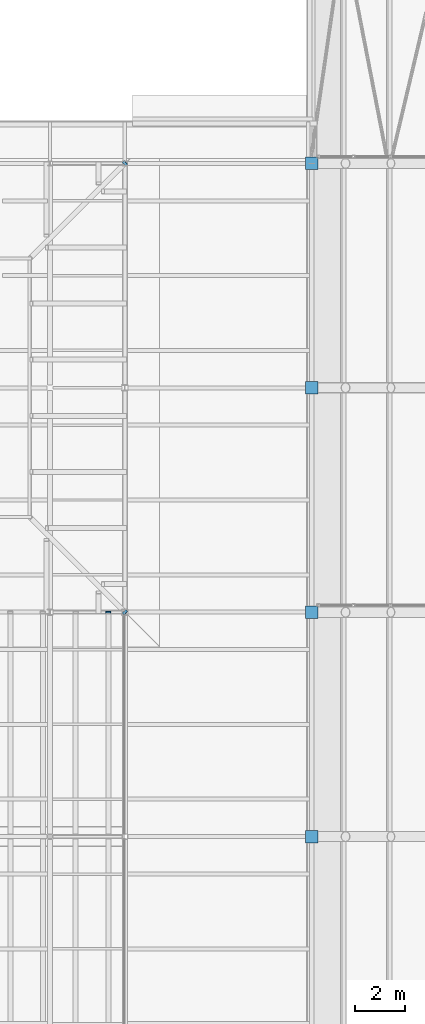
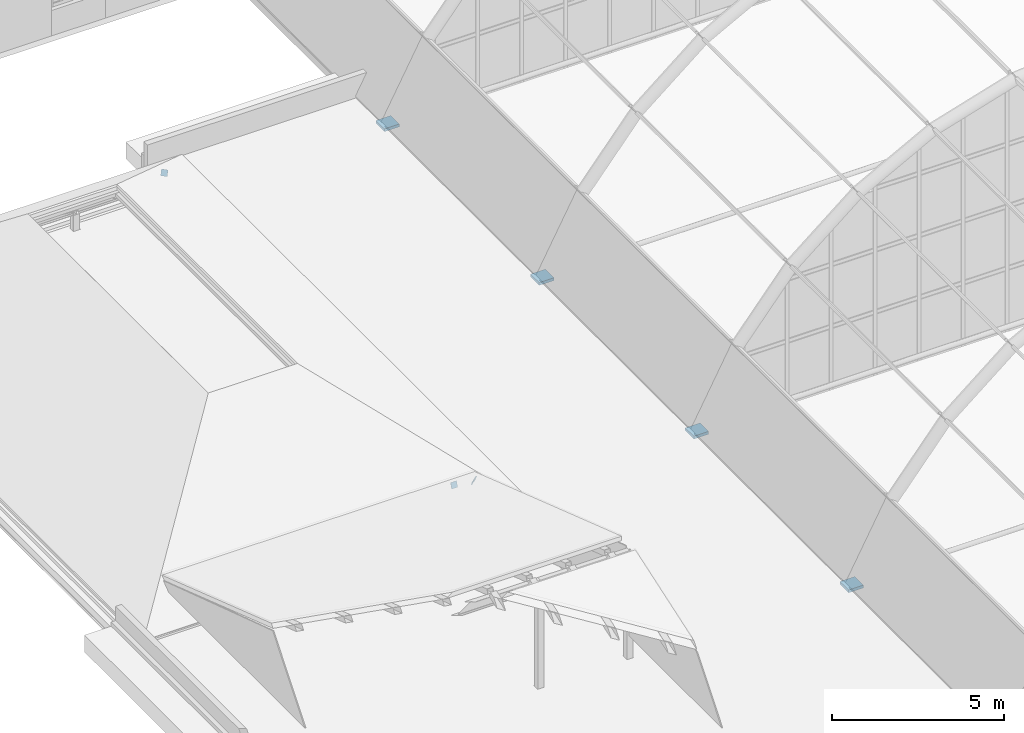
# One storey, part 106 of 121: 7 discrete accessories.
"""IFC4 building model written with IfcOpenShell, lengths in metres."""

from ifc_helpers import new_model, si_unit, direction, frame, origin, origin_2d, place, context, subcontext, project, spatial, rectangle, extrude, material, material_profile, profile_set, type_object, element, save


model = new_model("IFC4")

# Units and contexts
model_context = context("Model", 3, precision=1e-05, world=origin(), true_north=direction((0.0, 1.0)))
body_context = subcontext(model_context, "Body", "Model", "MODEL_VIEW")
ifc_project = project(units=[si_unit("LENGTHUNIT", "METRE"), si_unit("AREAUNIT", "SQUARE_METRE"), si_unit("VOLUMEUNIT", "CUBIC_METRE"), si_unit("PLANEANGLEUNIT", "RADIAN"), si_unit("MASSUNIT", "GRAM", prefix="KILO")], contexts=[model_context])

# Site, building, storey
site_placement = place(None, origin())
site = spatial("IfcSite", under=ifc_project, at=site_placement, CompositionType="ELEMENT")
building_placement = place(site_placement, origin())
building = spatial("IfcBuilding", under=site, at=building_placement, Name="Golden Quay Civic Hall", CompositionType="ELEMENT")
storey_placement = place(building_placement, frame((0.0, 0.0, 18.60009765625)))
storey = spatial("IfcBuildingStorey", under=building, at=storey_placement, Name="L04", CompositionType="ELEMENT", Elevation=18.60009765625)

# Discrete accessories
ifc_material_1 = material(Name="Steel S355", Category="steel")
discrete_accessory_type_1 = type_object("IfcDiscreteAccessoryType", Name="Steel bearing shoe 500x500x100", PredefinedType="BRACKET", material=ifc_material_1)
for number, where, z_axis, x_axis, name in (
    (1, (72.0, 27.0, -0.000244140625), (0.0, 0.0, 1.0), (1.0, 0.0, 0.0), "Bearing shoe 4"),
    (2, (72.0, 36.0, -0.000244140625), (0.0, 0.0, 1.0), (1.0, 0.0, 0.0), "Bearing shoe 5"),
    (3, (72.0, 45.0, -0.000244140625), (0.0, 0.0, 1.0), (1.0, 0.0, 0.0), "Bearing shoe 6"),
    (4, (72.0, 54.0, -0.000244140625), (0.0, 0.0, 1.0), (1.0, 0.0, 0.0), "Bearing shoe 7"),
):
    element("IfcDiscreteAccessory", number, at=place(storey_placement, frame(where, z_axis=z_axis, x_axis=x_axis)), inside=storey, type_object=discrete_accessory_type_1, Name=name, PredefinedType="BRACKET", context=body_context, shape_type="SweptSolid", body=[
        extrude(rectangle(XDim=0.5, YDim=0.5, at=origin_2d()), origin(), (0.0, 0.0, 1.0), 0.10009765625),
    ])
ifc_material_2 = material(Name="Steel S355", Category="steel")
ifc_material_profile = material_profile(ifc_material_2, rectangle(XDim=0.199951171875, YDim=0.199951171875, at=origin_2d()), Name="Steel end cap plate 200x200x16")
ifc_profile_set = profile_set([ifc_material_profile], Name="Steel S355")
discrete_accessory_type_2 = type_object("IfcDiscreteAccessoryType", Name="Steel end cap plate 200x200x16", PredefinedType="BRACKET", material=ifc_profile_set)
for number, where, z_axis, x_axis, name in (
    (5, (64.5, 36.0, 0.92822265625), (0.628025291884, -0.628025291884, -0.459530701378), (0.707106781187, 0.707106781187, 0.0), "End cap hip rafter WM-N south-east"),
    (6, (64.5, 54.0, 0.92822265625), (0.628025291884, 0.628025291884, -0.459530701378), (-0.707106781187, 0.707106781187, 0.0), "End cap hip rafter WM-N north-east"),
    (7, (63.84375, 36.0, 0.990478515625), (0.0, 0.947144575628, -0.32080703368), (-1.0, 0.0, 0.0), "End cap gable rafter north 8"),
):
    element("IfcDiscreteAccessory", number, at=place(storey_placement, frame(where, z_axis=z_axis, x_axis=x_axis)), inside=storey, type_object=discrete_accessory_type_2, Name=name, PredefinedType="BRACKET", context=body_context, shape_type="SweptSolid", body=[
        extrude(rectangle(XDim=0.199951171875, YDim=0.199951171875, at=origin_2d()), origin(), (0.0, 0.0, 1.0), 0.015869140625),
    ])

save(model, "model.ifc")
